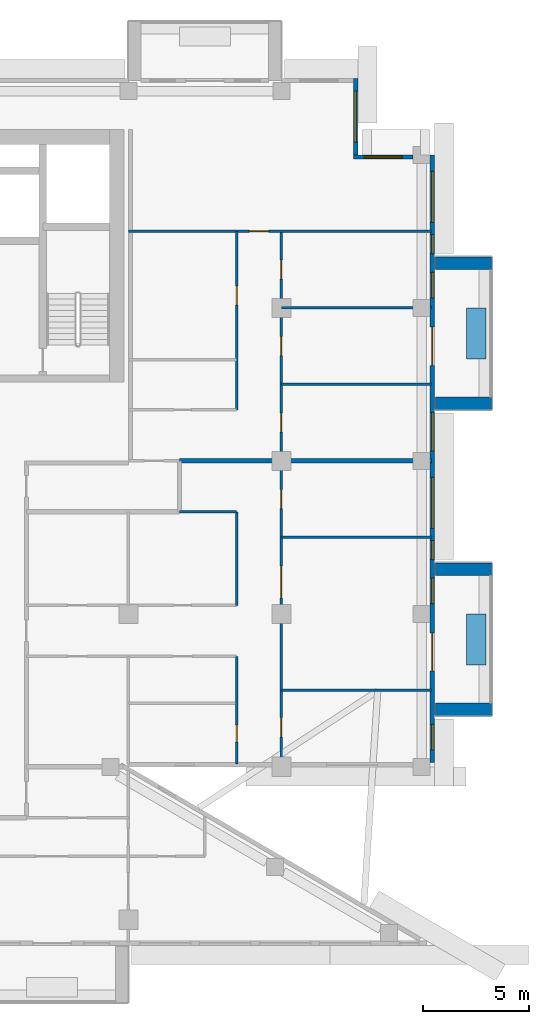
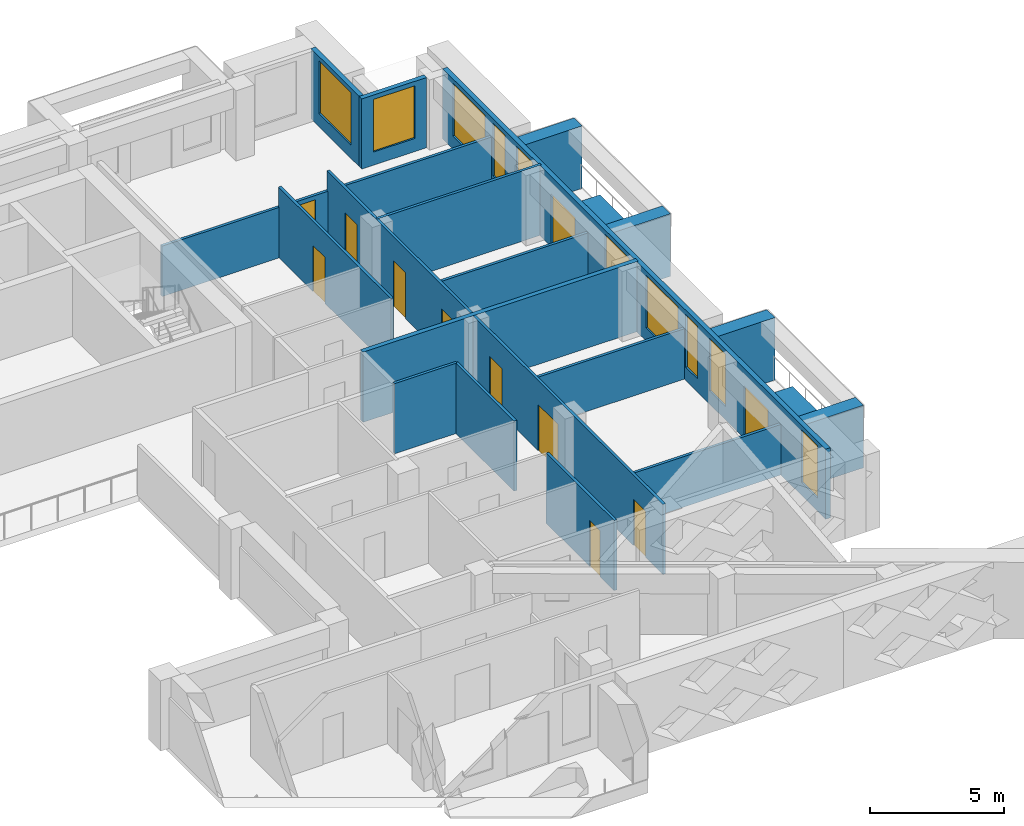
# One storey, part 12 of 20: 20 walls, 11 doors, 10 windows, 21 openings.
"""IFC4 building model written with IfcOpenShell, lengths in metres."""

from ifc_helpers import new_model, si_unit, direction, frame, frame_2d, origin, place, context, subcontext, project, spatial, rectangle, extrude, material, layer, layer_set, type_object, element, fill, save


model = new_model("IFC4")

# Units and contexts
model_context = context("Model", 3, precision=1e-05, world=origin(), true_north=direction((0.0, 1.0)))
body_context = subcontext(model_context, "Body", "Model", "MODEL_VIEW")
ifc_project = project(units=[si_unit("LENGTHUNIT", "METRE"), si_unit("AREAUNIT", "SQUARE_METRE"), si_unit("VOLUMEUNIT", "CUBIC_METRE"), si_unit("PLANEANGLEUNIT", "RADIAN"), si_unit("MASSUNIT", "GRAM", prefix="KILO")], contexts=[model_context])

# Site, building, storey
site_placement = place(None, origin())
site = spatial("IfcSite", under=ifc_project, at=site_placement, CompositionType="ELEMENT")
building_placement = place(site_placement, origin())
building = spatial("IfcBuilding", under=site, at=building_placement, Name="Saffron Iwan Residences", CompositionType="ELEMENT")
storey_placement = place(building_placement, frame((0.0, 0.0, 188.5)))
storey = spatial("IfcBuildingStorey", under=building, at=storey_placement, Name="L50", CompositionType="ELEMENT", Elevation=188.5)

# Walls
ifc_material_1 = material(Name="Concrete C50/60 white painted", Category="concrete")
ifc_layer_1 = layer(ifc_material_1, 0.60009765625)
ifc_layer_set_1 = layer_set([ifc_layer_1], Name="Concrete C50/60 white painted")
wall_type_1 = type_object("IfcWallType", Name="BALCONY FIN 600", PredefinedType="SOLIDWALL", material=ifc_layer_set_1)
for number, where, z_axis, x_axis, name in (
    (1, (86.449951171875, 50.699951171875, 0.0), (0.0, 0.0, 1.0), (1.0, 0.0, 0.0), "Balcony fin L50 F2-0a"),
    (2, (86.449951171875, 57.300048828125, 0.0), (0.0, 0.0, 1.0), (1.0, 0.0, 0.0), "Balcony fin L50 F2-0b"),
    (3, (86.449951171875, 65.10009765625, 0.0), (0.0, 0.0, 1.0), (1.0, 0.0, 0.0), "Balcony fin L50 F2-1a"),
    (4, (86.449951171875, 71.699951171875, 0.0), (0.0, 0.0, 1.0), (1.0, 0.0, 0.0), "Balcony fin L50 F2-1b"),
):
    element("IfcWall", number, at=place(storey_placement, frame(where, z_axis=z_axis, x_axis=x_axis)), inside=storey, type_object=wall_type_1, Name=name, PredefinedType="SOLIDWALL", context=body_context, shape_type="SweptSolid", body=[
        extrude(rectangle(XDim=2.650146484375, YDim=0.60009765625, at=frame_2d((1.3251953125, 0.0))), origin(), (0.0, 0.0, 1.0), 2.85009765625),
    ])
ifc_material_2 = material(Name="Concrete C35/45 white painted", Category="concrete")
ifc_layer_2 = layer(ifc_material_2, 0.14990234375)
ifc_layer_set_2 = layer_set([ifc_layer_2], Name="Concrete C35/45 white painted")
wall_type_2 = type_object("IfcWallType", Name="BALCONY PLANTER", PredefinedType="SOLIDWALL", material=ifc_layer_set_2)
wall_1_placement = place(storey_placement, frame((88.375, 52.800048828125, 0.0), z_axis=(0.0, 0.0, 1.0), x_axis=(0.0, 1.0, 0.0)))
element("IfcWall", 5, at=wall_1_placement, inside=storey, type_object=wall_type_2, Name="PLANTER L50 F2-0", PredefinedType="SOLIDWALL", context=body_context, shape_type="SweptSolid", body=[
    extrude(rectangle(XDim=2.39990234375, YDim=0.89990234375, at=frame_2d((1.199951171875, 0.0))), origin(), (0.0, 0.0, 1.0), 0.89990234375),
])
wall_2_placement = place(storey_placement, frame((88.375, 67.199951171875, 0.0), z_axis=(0.0, 0.0, 1.0), x_axis=(0.0, 1.0, 0.0)))
element("IfcWall", 6, at=wall_2_placement, inside=storey, type_object=wall_type_2, Name="PLANTER L50 F2-1", PredefinedType="SOLIDWALL", context=body_context, shape_type="SweptSolid", body=[
    extrude(rectangle(XDim=2.400146484375, YDim=0.89990234375, at=frame_2d((1.2001953125, 0.0))), origin(), (0.0, 0.0, 1.0), 0.89990234375),
])

# Wall, openings, doors, windows
ifc_material_3 = material(Name="Concrete C40/50", Category="concrete")
ifc_layer_3 = layer(ifc_material_3, 0.199951171875)
ifc_layer_set_3 = layer_set([ifc_layer_3], Name="Concrete C40/50")
wall_type_3 = type_object("IfcWallType", Name="EXTERNAL WALL 200", PredefinedType="SOLIDWALL", material=ifc_layer_set_3)
wall_3_placement = place(storey_placement, frame((86.300048828125, 48.199951171875, 0.0), z_axis=(0.0, 0.0, 1.0), x_axis=(0.0, 1.0, 0.0)))
wall_3 = element("IfcWall", 7, at=wall_3_placement, inside=storey, type_object=wall_type_3, Name="External wall L50 F2.0", PredefinedType="SOLIDWALL", context=body_context, shape_type="SweptSolid", body=[
    extrude(rectangle(XDim=28.60009765625, YDim=0.199951171875, at=frame_2d((14.300048828125, 0.0))), origin(), (0.0, 0.0, 1.0), 3.199951171875),
])
opening_1_placement = place(wall_3_placement, frame((4.300048828125, 0.0, 0.0)))
opening_1 = element("IfcOpeningElement", 8, at=opening_1_placement, cuts=wall_3, Name="Opening BD1", PredefinedType="OPENING", context=body_context, shape_type="SweptSolid", body=[
    extrude(rectangle(XDim=1.800048828125, YDim=2.39990234375, at=frame_2d((0.89990234375, 1.199951171875))), frame((0.0, 0.10986328125, 0.0), z_axis=(0.0, -1.0, 0.0), x_axis=(1.0, 0.0, 0.0)), (0.0, 0.0, 1.0), 0.219970703125),
])
opening_2_placement = place(wall_3_placement, frame((18.699951171875, 0.0, 0.0)))
opening_2 = element("IfcOpeningElement", 9, at=opening_2_placement, cuts=wall_3, Name="Opening BD1", PredefinedType="OPENING", context=body_context, shape_type="SweptSolid", body=[
    extrude(rectangle(XDim=1.800048828125, YDim=2.39990234375, at=frame_2d((0.89990234375, 1.199951171875))), frame((0.0, 0.10986328125, 0.0), z_axis=(0.0, -1.0, 0.0), x_axis=(1.0, 0.0, 0.0)), (0.0, 0.0, 1.0), 0.219970703125),
])
opening_3_placement = place(wall_3_placement, frame((0.60009765625, 0.0, 0.60009765625)))
opening_3 = element("IfcOpeningElement", 10, at=opening_3_placement, cuts=wall_3, Name="Opening W3", PredefinedType="OPENING", context=body_context, shape_type="SweptSolid", body=[
    extrude(rectangle(XDim=1.199951171875, YDim=2.39990234375, at=frame_2d((0.60009765625, 1.199951171875))), frame((0.0, 0.10986328125, 0.0), z_axis=(0.0, -1.0, 0.0), x_axis=(1.0, 0.0, 0.0)), (0.0, 0.0, 1.0), 0.219970703125),
])
opening_4_placement = place(wall_3_placement, frame((7.47509765625, 0.0, 0.60009765625)))
opening_4 = element("IfcOpeningElement", 11, at=opening_4_placement, cuts=wall_3, Name="Opening W3", PredefinedType="OPENING", context=body_context, shape_type="SweptSolid", body=[
    extrude(rectangle(XDim=1.199951171875, YDim=2.39990234375, at=frame_2d((0.60009765625, 1.199951171875))), frame((0.0, 0.10986328125, 0.0), z_axis=(0.0, -1.0, 0.0), x_axis=(1.0, 0.0, 0.0)), (0.0, 0.0, 1.0), 0.219970703125),
])
opening_5_placement = place(wall_3_placement, frame((9.550048828125, 0.0, 0.60009765625)))
opening_5 = element("IfcOpeningElement", 12, at=opening_5_placement, cuts=wall_3, Name="Opening W10", PredefinedType="OPENING", context=body_context, shape_type="SweptSolid", body=[
    extrude(rectangle(XDim=0.89990234375, YDim=2.39990234375, at=frame_2d((0.449951171875, 1.199951171875))), frame((0.0, 0.10986328125, 0.0), z_axis=(0.0, -1.0, 0.0), x_axis=(1.0, 0.0, 0.0)), (0.0, 0.0, 1.0), 0.219970703125),
])
opening_6_placement = place(wall_3_placement, frame((11.02490234375, 0.0, 0.60009765625)))
opening_6 = element("IfcOpeningElement", 13, at=opening_6_placement, cuts=wall_3, Name="Opening W1", PredefinedType="OPENING", context=body_context, shape_type="SweptSolid", body=[
    extrude(rectangle(XDim=2.39990234375, YDim=2.39990234375, at=frame_2d((1.199951171875, 1.199951171875))), frame((0.0, 0.10986328125, 0.0), z_axis=(0.0, -1.0, 0.0), x_axis=(1.0, 0.0, 0.0)), (0.0, 0.0, 1.0), 0.219970703125),
])
opening_7_placement = place(wall_3_placement, frame((14.675048828125, 0.0, 0.60009765625)))
opening_7 = element("IfcOpeningElement", 14, at=opening_7_placement, cuts=wall_3, Name="Opening W8", PredefinedType="OPENING", context=body_context, shape_type="SweptSolid", body=[
    extrude(rectangle(XDim=1.800048828125, YDim=2.39990234375, at=frame_2d((0.89990234375, 1.199951171875))), frame((0.0, 0.10986328125, 0.0), z_axis=(0.0, -1.0, 0.0), x_axis=(1.0, 0.0, 0.0)), (0.0, 0.0, 1.0), 0.219970703125),
])
opening_8_placement = place(wall_3_placement, frame((21.875, 0.0, 0.60009765625)))
opening_8 = element("IfcOpeningElement", 15, at=opening_8_placement, cuts=wall_3, Name="Opening W3", PredefinedType="OPENING", context=body_context, shape_type="SweptSolid", body=[
    extrude(rectangle(XDim=1.199951171875, YDim=2.39990234375, at=frame_2d((0.60009765625, 1.199951171875))), frame((0.0, 0.10986328125, 0.0), z_axis=(0.0, -1.0, 0.0), x_axis=(1.0, 0.0, 0.0)), (0.0, 0.0, 1.0), 0.219970703125),
])
opening_9_placement = place(wall_3_placement, frame((23.949951171875, 0.0, 0.60009765625)))
opening_9 = element("IfcOpeningElement", 16, at=opening_9_placement, cuts=wall_3, Name="Opening W10", PredefinedType="OPENING", context=body_context, shape_type="SweptSolid", body=[
    extrude(rectangle(XDim=0.89990234375, YDim=2.39990234375, at=frame_2d((0.449951171875, 1.199951171875))), frame((0.0, 0.10986328125, 0.0), z_axis=(0.0, -1.0, 0.0), x_axis=(1.0, 0.0, 0.0)), (0.0, 0.0, 1.0), 0.219970703125),
])
opening_10_placement = place(wall_3_placement, frame((25.425048828125, 0.0, 0.60009765625)))
opening_10 = element("IfcOpeningElement", 17, at=opening_10_placement, cuts=wall_3, Name="Opening W1", PredefinedType="OPENING", context=body_context, shape_type="SweptSolid", body=[
    extrude(rectangle(XDim=2.39990234375, YDim=2.39990234375, at=frame_2d((1.199951171875, 1.199951171875))), frame((0.0, 0.10986328125, 0.0), z_axis=(0.0, -1.0, 0.0), x_axis=(1.0, 0.0, 0.0)), (0.0, 0.0, 1.0), 0.219970703125),
])
ifc_material_4 = material(Name="Clear glass, laminated double glazed", Category="glass")
door_type_1 = type_object("IfcDoorType", Name="BALCONY DOOR 1800 x 2400", OperationType="DOUBLE_DOOR_SLIDING", PredefinedType="DOOR", material=ifc_material_4)
door_1_placement = place(opening_1_placement, origin())
door_1 = element("IfcDoor", 18, at=door_1_placement, inside=storey, type_object=door_type_1, Name="Balcony door L50 F2.0", OperationType="DOUBLE_DOOR_SLIDING", OverallHeight=2.39990234375, OverallWidth=1.800048828125, PredefinedType="DOOR", context=body_context, shape_type="SweptSolid", body=[
    extrude(rectangle(XDim=1.800048828125, YDim=2.39990234375, at=frame_2d((0.89990234375, 1.199951171875))), frame((0.0, 0.02490234375, 0.0), z_axis=(0.0, -1.0, 0.0), x_axis=(1.0, 0.0, 0.0)), (0.0, 0.0, 1.0), 0.050048828125),
])
fill(opening_1, door_1)
door_2_placement = place(opening_2_placement, origin())
door_2 = element("IfcDoor", 19, at=door_2_placement, inside=storey, type_object=door_type_1, Name="Balcony door L50 F2.1", OperationType="DOUBLE_DOOR_SLIDING", OverallHeight=2.39990234375, OverallWidth=1.800048828125, PredefinedType="DOOR", context=body_context, shape_type="SweptSolid", body=[
    extrude(rectangle(XDim=1.800048828125, YDim=2.39990234375, at=frame_2d((0.89990234375, 1.199951171875))), frame((0.0, 0.02490234375, 0.0), z_axis=(0.0, -1.0, 0.0), x_axis=(1.0, 0.0, 0.0)), (0.0, 0.0, 1.0), 0.050048828125),
])
fill(opening_2, door_2)
window_type_1 = type_object("IfcWindowType", Name="WINDOW 1200 x 2400", PartitioningType="SINGLE_PANEL", PredefinedType="WINDOW", material=ifc_material_4)
window_1_placement = place(opening_3_placement, origin())
window_1 = element("IfcWindow", 20, at=window_1_placement, inside=storey, type_object=window_type_1, Name="Window L50 F2.2", OverallHeight=2.39990234375, OverallWidth=1.199951171875, PartitioningType="SINGLE_PANEL", PredefinedType="WINDOW", context=body_context, shape_type="SweptSolid", body=[
    extrude(rectangle(XDim=1.199951171875, YDim=2.39990234375, at=frame_2d((0.60009765625, 1.199951171875))), frame((0.0, 0.030029296875, 0.0), z_axis=(0.0, -1.0, 0.0), x_axis=(1.0, 0.0, 0.0)), (0.0, 0.0, 1.0), 0.06005859375),
])
fill(opening_3, window_1)
window_2_placement = place(opening_4_placement, origin())
window_2 = element("IfcWindow", 21, at=window_2_placement, inside=storey, type_object=window_type_1, Name="Window L50 F2.3", OverallHeight=2.39990234375, OverallWidth=1.199951171875, PartitioningType="SINGLE_PANEL", PredefinedType="WINDOW", context=body_context, shape_type="SweptSolid", body=[
    extrude(rectangle(XDim=1.199951171875, YDim=2.39990234375, at=frame_2d((0.60009765625, 1.199951171875))), frame((0.0, 0.030029296875, 0.0), z_axis=(0.0, -1.0, 0.0), x_axis=(1.0, 0.0, 0.0)), (0.0, 0.0, 1.0), 0.06005859375),
])
fill(opening_4, window_2)
window_3_placement = place(opening_8_placement, origin())
window_3 = element("IfcWindow", 22, at=window_3_placement, inside=storey, type_object=window_type_1, Name="Window L50 F2.7", OverallHeight=2.39990234375, OverallWidth=1.199951171875, PartitioningType="SINGLE_PANEL", PredefinedType="WINDOW", context=body_context, shape_type="SweptSolid", body=[
    extrude(rectangle(XDim=1.199951171875, YDim=2.39990234375, at=frame_2d((0.60009765625, 1.199951171875))), frame((0.0, 0.030029296875, 0.0), z_axis=(0.0, -1.0, 0.0), x_axis=(1.0, 0.0, 0.0)), (0.0, 0.0, 1.0), 0.06005859375),
])
fill(opening_8, window_3)
window_type_2 = type_object("IfcWindowType", Name="WINDOW 1800 x 2400", PartitioningType="DOUBLE_PANEL_VERTICAL", PredefinedType="WINDOW", material=ifc_material_4)
window_4_placement = place(opening_7_placement, origin())
window_4 = element("IfcWindow", 23, at=window_4_placement, inside=storey, type_object=window_type_2, Name="Window L50 F2.6", OverallHeight=2.39990234375, OverallWidth=1.800048828125, PartitioningType="DOUBLE_PANEL_VERTICAL", PredefinedType="WINDOW", context=body_context, shape_type="SweptSolid", body=[
    extrude(rectangle(XDim=1.800048828125, YDim=2.39990234375, at=frame_2d((0.89990234375, 1.199951171875))), frame((0.0, 0.030029296875, 0.0), z_axis=(0.0, -1.0, 0.0), x_axis=(1.0, 0.0, 0.0)), (0.0, 0.0, 1.0), 0.06005859375),
])
fill(opening_7, window_4)
window_type_3 = type_object("IfcWindowType", Name="WINDOW 2400 x 2400", PartitioningType="DOUBLE_PANEL_VERTICAL", PredefinedType="WINDOW", material=ifc_material_4)
window_5_placement = place(opening_6_placement, origin())
window_5 = element("IfcWindow", 24, at=window_5_placement, inside=storey, type_object=window_type_3, Name="Window L50 F2.5", OverallHeight=2.39990234375, OverallWidth=2.39990234375, PartitioningType="DOUBLE_PANEL_VERTICAL", PredefinedType="WINDOW", context=body_context, shape_type="SweptSolid", body=[
    extrude(rectangle(XDim=2.39990234375, YDim=2.39990234375, at=frame_2d((1.199951171875, 1.199951171875))), frame((0.0, 0.030029296875, 0.0), z_axis=(0.0, -1.0, 0.0), x_axis=(1.0, 0.0, 0.0)), (0.0, 0.0, 1.0), 0.06005859375),
])
fill(opening_6, window_5)
window_6_placement = place(opening_10_placement, origin())
window_6 = element("IfcWindow", 25, at=window_6_placement, inside=storey, type_object=window_type_3, Name="Window L50 F2.9", OverallHeight=2.39990234375, OverallWidth=2.39990234375, PartitioningType="DOUBLE_PANEL_VERTICAL", PredefinedType="WINDOW", context=body_context, shape_type="SweptSolid", body=[
    extrude(rectangle(XDim=2.39990234375, YDim=2.39990234375, at=frame_2d((1.199951171875, 1.199951171875))), frame((0.0, 0.030029296875, 0.0), z_axis=(0.0, -1.0, 0.0), x_axis=(1.0, 0.0, 0.0)), (0.0, 0.0, 1.0), 0.06005859375),
])
fill(opening_10, window_6)
window_type_4 = type_object("IfcWindowType", Name="WINDOW 900 x 2400", PartitioningType="SINGLE_PANEL", PredefinedType="WINDOW", material=ifc_material_4)
window_7_placement = place(opening_5_placement, origin())
window_7 = element("IfcWindow", 26, at=window_7_placement, inside=storey, type_object=window_type_4, Name="Window L50 F2.4", OverallHeight=2.39990234375, OverallWidth=0.89990234375, PartitioningType="SINGLE_PANEL", PredefinedType="WINDOW", context=body_context, shape_type="SweptSolid", body=[
    extrude(rectangle(XDim=0.89990234375, YDim=2.39990234375, at=frame_2d((0.449951171875, 1.199951171875))), frame((0.0, 0.030029296875, 0.0), z_axis=(0.0, -1.0, 0.0), x_axis=(1.0, 0.0, 0.0)), (0.0, 0.0, 1.0), 0.06005859375),
])
fill(opening_5, window_7)
window_8_placement = place(opening_9_placement, origin())
window_8 = element("IfcWindow", 27, at=window_8_placement, inside=storey, type_object=window_type_4, Name="Window L50 F2.8", OverallHeight=2.39990234375, OverallWidth=0.89990234375, PartitioningType="SINGLE_PANEL", PredefinedType="WINDOW", context=body_context, shape_type="SweptSolid", body=[
    extrude(rectangle(XDim=0.89990234375, YDim=2.39990234375, at=frame_2d((0.449951171875, 1.199951171875))), frame((0.0, 0.030029296875, 0.0), z_axis=(0.0, -1.0, 0.0), x_axis=(1.0, 0.0, 0.0)), (0.0, 0.0, 1.0), 0.06005859375),
])
fill(opening_9, window_8)

# Wall, opening, window
wall_4_placement = place(storey_placement, frame((85.39990234375, 76.699951171875, 0.0), z_axis=(0.0, 0.0, 1.0), x_axis=(-1.0, 0.0, 0.0)))
wall_4 = element("IfcWall", 28, at=wall_4_placement, inside=storey, type_object=wall_type_3, Name="External wall L50 F3.0", PredefinedType="SOLIDWALL", context=body_context, shape_type="SweptSolid", body=[
    extrude(rectangle(XDim=2.7998046875, YDim=0.199951171875, at=frame_2d((1.39990234375, 0.0))), origin(), (0.0, 0.0, 1.0), 3.199951171875),
])
opening_11_placement = place(wall_4_placement, frame((0.5, 0.0, 0.60009765625)))
opening_11 = element("IfcOpeningElement", 29, at=opening_11_placement, cuts=wall_4, Name="Opening W8", PredefinedType="OPENING", context=body_context, shape_type="SweptSolid", body=[
    extrude(rectangle(XDim=1.800048828125, YDim=2.39990234375, at=frame_2d((0.89990234375, 1.199951171875))), frame((0.0, 0.10986328125, 0.0), z_axis=(0.0, -1.0, 0.0), x_axis=(1.0, 0.0, 0.0)), (0.0, 0.0, 1.0), 0.219970703125),
])
window_9_placement = place(opening_11_placement, origin())
window_9 = element("IfcWindow", 30, at=window_9_placement, inside=storey, type_object=window_type_2, Name="Window L50 F3.0", OverallHeight=2.39990234375, OverallWidth=1.800048828125, PartitioningType="DOUBLE_PANEL_VERTICAL", PredefinedType="WINDOW", context=body_context, shape_type="SweptSolid", body=[
    extrude(rectangle(XDim=1.800048828125, YDim=2.39990234375, at=frame_2d((0.89990234375, 1.199951171875))), frame((0.0, 0.030029296875, 0.0), z_axis=(0.0, -1.0, 0.0), x_axis=(1.0, 0.0, 0.0)), (0.0, 0.0, 1.0), 0.06005859375),
])
fill(opening_11, window_9)

wall_5_placement = place(storey_placement, frame((82.699951171875, 76.800048828125, 0.0), z_axis=(0.0, 0.0, 1.0), x_axis=(0.0, 1.0, 0.0)))
wall_5 = element("IfcWall", 31, at=wall_5_placement, inside=storey, type_object=wall_type_3, Name="External wall L50 F4.0", PredefinedType="SOLIDWALL", context=body_context, shape_type="SweptSolid", body=[
    extrude(rectangle(XDim=3.599853515625, YDim=0.199951171875, at=frame_2d((1.7998046875, 0.0))), origin(), (0.0, 0.0, 1.0), 3.199951171875),
])
opening_12_placement = place(wall_5_placement, frame((0.60009765625, 0.0, 0.60009765625)))
opening_12 = element("IfcOpeningElement", 32, at=opening_12_placement, cuts=wall_5, Name="Opening W1", PredefinedType="OPENING", context=body_context, shape_type="SweptSolid", body=[
    extrude(rectangle(XDim=2.39990234375, YDim=2.39990234375, at=frame_2d((1.199951171875, 1.199951171875))), frame((0.0, 0.10986328125, 0.0), z_axis=(0.0, -1.0, 0.0), x_axis=(1.0, 0.0, 0.0)), (0.0, 0.0, 1.0), 0.219970703125),
])
window_10_placement = place(opening_12_placement, origin())
window_10 = element("IfcWindow", 33, at=window_10_placement, inside=storey, type_object=window_type_3, Name="Window L50 F4.0", OverallHeight=2.39990234375, OverallWidth=2.39990234375, PartitioningType="DOUBLE_PANEL_VERTICAL", PredefinedType="WINDOW", context=body_context, shape_type="SweptSolid", body=[
    extrude(rectangle(XDim=2.39990234375, YDim=2.39990234375, at=frame_2d((1.199951171875, 1.199951171875))), frame((0.0, 0.030029296875, 0.0), z_axis=(0.0, -1.0, 0.0), x_axis=(1.0, 0.0, 0.0)), (0.0, 0.0, 1.0), 0.06005859375),
])
fill(opening_12, window_10)

# Walls
ifc_material_5 = material(Name="Fire-rated gypsum board wall")
ifc_layer_4 = layer(ifc_material_5, 0.199951171875)
ifc_layer_set_4 = layer_set([ifc_layer_4], Name="Fire-rated gypsum board wall")
wall_type_4 = type_object("IfcWallType", Name="Flat demising wall 200", PredefinedType="SOLIDWALL", material=ifc_layer_set_4)
wall_6_placement = place(storey_placement, frame((74.39990234375, 62.39990234375, 0.0), z_axis=(0.0, 0.0, 1.0), x_axis=(1.0, 0.0, 0.0)))
element("IfcWall", 34, at=wall_6_placement, inside=storey, type_object=wall_type_4, Name="W-L50-DEMISE-h62.4-74.4", PredefinedType="SOLIDWALL", context=body_context, shape_type="SweptSolid", body=[
    extrude(rectangle(XDim=11.875, YDim=0.199951171875, at=frame_2d((5.9375, 0.0))), origin(), (0.0, 0.0, 1.0), 3.199951171875),
])
ifc_material_6 = material(Name="Gypsum board partition")
ifc_layer_5 = layer(ifc_material_6, 0.1201171875)
ifc_layer_set_5 = layer_set([ifc_layer_5], Name="Gypsum board partition")
wall_type_5 = type_object("IfcWallType", Name="Flat partition 120", PredefinedType="PARTITIONING", material=ifc_layer_set_5)
for number, where, z_axis, x_axis, name in (
    (35, (79.199951171875, 51.60009765625, 0.0), (0.0, 0.0, 1.0), (1.0, 0.0, 0.0), "W-L50-PART-h51.6-79.2"),
    (36, (79.199951171875, 58.800048828125, 0.0), (0.0, 0.0, 1.0), (1.0, 0.0, 0.0), "W-L50-PART-h58.8-79.2"),
):
    element("IfcWall", number, at=place(storey_placement, frame(where, z_axis=z_axis, x_axis=x_axis)), inside=storey, type_object=wall_type_5, Name=name, PredefinedType="PARTITIONING", context=body_context, shape_type="SweptSolid", body=[
        extrude(rectangle(XDim=7.074951171875, YDim=0.1201171875, at=frame_2d((3.53759765625, 0.0))), origin(), (0.0, 0.0, 1.0), 2.300048828125),
    ])
wall_7_placement = place(storey_placement, frame((74.39990234375, 60.0, 0.0), z_axis=(0.0, 0.0, 1.0), x_axis=(1.0, 0.0, 0.0)))
element("IfcWall", 37, at=wall_7_placement, inside=storey, type_object=wall_type_5, Name="W-L50-PART-h60-74.4", PredefinedType="PARTITIONING", context=body_context, shape_type="SweptSolid", body=[
    extrude(rectangle(XDim=2.7001953125, YDim=0.1201171875, at=frame_2d((1.35009765625, 0.0))), origin(), (0.0, 0.0, 1.0), 3.199951171875),
])
wall_8_placement = place(storey_placement, frame((79.199951171875, 66.0, 0.0), z_axis=(0.0, 0.0, 1.0), x_axis=(1.0, 0.0, 0.0)))
element("IfcWall", 38, at=wall_8_placement, inside=storey, type_object=wall_type_5, Name="W-L50-PART-h66-79.2", PredefinedType="PARTITIONING", context=body_context, shape_type="SweptSolid", body=[
    extrude(rectangle(XDim=7.074951171875, YDim=0.1201171875, at=frame_2d((3.53759765625, 0.0))), origin(), (0.0, 0.0, 1.0), 2.300048828125),
])
wall_9_placement = place(storey_placement, frame((79.199951171875, 69.60009765625, 0.0), z_axis=(0.0, 0.0, 1.0), x_axis=(1.0, 0.0, 0.0)))
element("IfcWall", 39, at=wall_9_placement, inside=storey, type_object=wall_type_5, Name="W-L50-PART-h69.6-79.2", PredefinedType="PARTITIONING", context=body_context, shape_type="SweptSolid", body=[
    extrude(rectangle(XDim=7.074951171875, YDim=0.1201171875, at=frame_2d((3.53759765625, 0.0))), origin(), (0.0, 0.0, 1.0), 3.199951171875),
])

# Wall, opening, door
wall_10_placement = place(storey_placement, frame((72.0, 73.199951171875, 0.0), z_axis=(0.0, 0.0, 1.0), x_axis=(1.0, 0.0, 0.0)))
wall_10 = element("IfcWall", 40, at=wall_10_placement, inside=storey, type_object=wall_type_5, Name="W-L50-PART-h73.2-72", PredefinedType="PARTITIONING", context=body_context, shape_type="SweptSolid", body=[
    extrude(rectangle(XDim=14.27490234375, YDim=0.1201171875, at=frame_2d((7.137451171875, 0.0))), origin(), (0.0, 0.0, 1.0), 2.300048828125),
])
opening_13_placement = place(wall_10_placement, frame((5.699951171875, 0.0, 0.0)))
opening_13 = element("IfcOpeningElement", 41, at=opening_13_placement, cuts=wall_10, Name="Opening FD2", PredefinedType="OPENING", context=body_context, shape_type="SweptSolid", body=[
    extrude(rectangle(XDim=0.89990234375, YDim=2.10009765625, at=frame_2d((0.449951171875, 1.050048828125))), frame((0.0, 0.070068359375, 0.0), z_axis=(0.0, -1.0, 0.0), x_axis=(1.0, 0.0, 0.0)), (0.0, 0.0, 1.0), 0.14013671875),
])
ifc_material_7 = material(Name="Timber door", Category="wood")
door_type_2 = type_object("IfcDoorType", Name="Flat door 900", OperationType="NOTDEFINED", PredefinedType="DOOR", material=ifc_material_7)
door_3_placement = place(opening_13_placement, origin())
door_3 = element("IfcDoor", 42, at=door_3_placement, inside=storey, type_object=door_type_2, Name="Door L50-039", OperationType="SINGLE_SWING_LEFT", OverallHeight=2.10009765625, OverallWidth=0.89990234375, PredefinedType="DOOR", context=body_context, shape_type="SweptSolid", body=[
    extrude(rectangle(XDim=0.89990234375, YDim=2.10009765625, at=frame_2d((0.449951171875, 1.050048828125))), frame((0.0, 0.02490234375, 0.0), z_axis=(0.0, -1.0, 0.0), x_axis=(1.0, 0.0, 0.0)), (0.0, 0.0, 1.0), 0.050048828125),
])
fill(opening_13, door_3)

wall_11_placement = place(storey_placement, frame((77.10009765625, 48.125, 0.0), z_axis=(0.0, 0.0, 1.0), x_axis=(0.0, 1.0, 0.0)))
wall_11 = element("IfcWall", 43, at=wall_11_placement, inside=storey, type_object=wall_type_5, Name="W-L50-PART-v77.1-48.125", PredefinedType="PARTITIONING", context=body_context, shape_type="SweptSolid", body=[
    extrude(rectangle(XDim=5.074951171875, YDim=0.1201171875, at=frame_2d((2.53759765625, 0.0))), origin(), (0.0, 0.0, 1.0), 3.199951171875),
])
opening_14_placement = place(wall_11_placement, frame((1.03759765625, 0.0, 0.0)))
opening_14 = element("IfcOpeningElement", 44, at=opening_14_placement, cuts=wall_11, Name="Opening FD3", PredefinedType="OPENING", context=body_context, shape_type="SweptSolid", body=[
    extrude(rectangle(XDim=0.800048828125, YDim=2.10009765625, at=frame_2d((0.39990234375, 1.050048828125))), frame((0.0, 0.070068359375, 0.0), z_axis=(0.0, -1.0, 0.0), x_axis=(1.0, 0.0, 0.0)), (0.0, 0.0, 1.0), 0.14013671875),
])
door_type_3 = type_object("IfcDoorType", Name="Bathroom door 800", OperationType="NOTDEFINED", PredefinedType="DOOR", material=ifc_material_7)
door_4_placement = place(opening_14_placement, origin())
door_4 = element("IfcDoor", 45, at=door_4_placement, inside=storey, type_object=door_type_3, Name="Door L50-019", OperationType="SINGLE_SWING_LEFT", OverallHeight=2.10009765625, OverallWidth=0.800048828125, PredefinedType="DOOR", context=body_context, shape_type="SweptSolid", body=[
    extrude(rectangle(XDim=0.800048828125, YDim=2.10009765625, at=frame_2d((0.39990234375, 1.050048828125))), frame((0.0, 0.02490234375, 0.0), z_axis=(0.0, -1.0, 0.0), x_axis=(1.0, 0.0, 0.0)), (0.0, 0.0, 1.0), 0.050048828125),
])
fill(opening_14, door_4)

# Wall
wall_12_placement = place(storey_placement, frame((77.10009765625, 55.60009765625, 0.0), z_axis=(0.0, 0.0, 1.0), x_axis=(0.0, 1.0, 0.0)))
element("IfcWall", 46, at=wall_12_placement, inside=storey, type_object=wall_type_5, Name="W-L50-PART-v77.1-55.6", PredefinedType="PARTITIONING", context=body_context, shape_type="SweptSolid", body=[
    extrude(rectangle(XDim=4.39990234375, YDim=0.1201171875, at=frame_2d((2.199951171875, 0.0))), origin(), (0.0, 0.0, 1.0), 3.199951171875),
])

# Wall, opening, door
wall_13_placement = place(storey_placement, frame((77.10009765625, 64.800048828125, 0.0), z_axis=(0.0, 0.0, 1.0), x_axis=(0.0, 1.0, 0.0)))
wall_13 = element("IfcWall", 47, at=wall_13_placement, inside=storey, type_object=wall_type_5, Name="W-L50-PART-v77.1-64.8", PredefinedType="PARTITIONING", context=body_context, shape_type="SweptSolid", body=[
    extrude(rectangle(XDim=8.39990234375, YDim=0.1201171875, at=frame_2d((4.199951171875, 0.0))), origin(), (0.0, 0.0, 1.0), 3.199951171875),
])
opening_15_placement = place(wall_13_placement, frame((4.925048828125, 0.0, 0.0)))
opening_15 = element("IfcOpeningElement", 48, at=opening_15_placement, cuts=wall_13, Name="Opening FD2", PredefinedType="OPENING", context=body_context, shape_type="SweptSolid", body=[
    extrude(rectangle(XDim=0.89990234375, YDim=2.10009765625, at=frame_2d((0.449951171875, 1.050048828125))), frame((0.0, 0.070068359375, 0.0), z_axis=(0.0, -1.0, 0.0), x_axis=(1.0, 0.0, 0.0)), (0.0, 0.0, 1.0), 0.14013671875),
])
door_5_placement = place(opening_15_placement, origin())
door_5 = element("IfcDoor", 49, at=door_5_placement, inside=storey, type_object=door_type_2, Name="Door L50-041", OperationType="SINGLE_SWING_RIGHT", OverallHeight=2.10009765625, OverallWidth=0.89990234375, PredefinedType="DOOR", context=body_context, shape_type="SweptSolid", body=[
    extrude(rectangle(XDim=0.89990234375, YDim=2.10009765625, at=frame_2d((0.449951171875, 1.050048828125))), frame((0.0, 0.02490234375, 0.0), z_axis=(0.0, -1.0, 0.0), x_axis=(1.0, 0.0, 0.0)), (0.0, 0.0, 1.0), 0.050048828125),
])
fill(opening_15, door_5)

# Wall, openings, doors
wall_14_placement = place(storey_placement, frame((79.199951171875, 48.125, 0.0), z_axis=(0.0, 0.0, 1.0), x_axis=(0.0, 1.0, 0.0)))
wall_14 = element("IfcWall", 50, at=wall_14_placement, inside=storey, type_object=wall_type_5, Name="W-L50-PART-v79.2-48.125", PredefinedType="PARTITIONING", context=body_context, shape_type="SweptSolid", body=[
    extrude(rectangle(XDim=25.074951171875, YDim=0.1201171875, at=frame_2d((12.53759765625, 0.0))), origin(), (0.0, 0.0, 1.0), 3.199951171875),
])
opening_16_placement = place(wall_14_placement, frame((1.28759765625, 0.0, 0.0)))
opening_16 = element("IfcOpeningElement", 51, at=opening_16_placement, cuts=wall_14, Name="Opening FD2", PredefinedType="OPENING", context=body_context, shape_type="SweptSolid", body=[
    extrude(rectangle(XDim=0.89990234375, YDim=2.10009765625, at=frame_2d((0.449951171875, 1.050048828125))), frame((0.0, 0.070068359375, 0.0), z_axis=(0.0, -1.0, 0.0), x_axis=(1.0, 0.0, 0.0)), (0.0, 0.0, 1.0), 0.14013671875),
])
opening_17_placement = place(wall_14_placement, frame((7.824951171875, 0.0, 0.0)))
opening_17 = element("IfcOpeningElement", 52, at=opening_17_placement, cuts=wall_14, Name="Opening FD4", PredefinedType="OPENING", context=body_context, shape_type="SweptSolid", body=[
    extrude(rectangle(XDim=1.5, YDim=2.10009765625, at=frame_2d((0.75, 1.050048828125))), frame((0.0, 0.070068359375, 0.0), z_axis=(0.0, -1.0, 0.0), x_axis=(1.0, 0.0, 0.0)), (0.0, 0.0, 1.0), 0.14013671875),
])
opening_18_placement = place(wall_14_placement, frame((12.02490234375, 0.0, 0.0)))
opening_18 = element("IfcOpeningElement", 53, at=opening_18_placement, cuts=wall_14, Name="Opening FD2", PredefinedType="OPENING", context=body_context, shape_type="SweptSolid", body=[
    extrude(rectangle(XDim=0.89990234375, YDim=2.10009765625, at=frame_2d((0.449951171875, 1.050048828125))), frame((0.0, 0.070068359375, 0.0), z_axis=(0.0, -1.0, 0.0), x_axis=(1.0, 0.0, 0.0)), (0.0, 0.0, 1.0), 0.14013671875),
])
opening_19_placement = place(wall_14_placement, frame((15.625, 0.0, 0.0)))
opening_19 = element("IfcOpeningElement", 54, at=opening_19_placement, cuts=wall_14, Name="Opening FD2", PredefinedType="OPENING", context=body_context, shape_type="SweptSolid", body=[
    extrude(rectangle(XDim=0.89990234375, YDim=2.10009765625, at=frame_2d((0.449951171875, 1.050048828125))), frame((0.0, 0.070068359375, 0.0), z_axis=(0.0, -1.0, 0.0), x_axis=(1.0, 0.0, 0.0)), (0.0, 0.0, 1.0), 0.14013671875),
])
opening_20_placement = place(wall_14_placement, frame((19.22509765625, 0.0, 0.0)))
opening_20 = element("IfcOpeningElement", 55, at=opening_20_placement, cuts=wall_14, Name="Opening FD2", PredefinedType="OPENING", context=body_context, shape_type="SweptSolid", body=[
    extrude(rectangle(XDim=0.89990234375, YDim=2.10009765625, at=frame_2d((0.449951171875, 1.050048828125))), frame((0.0, 0.070068359375, 0.0), z_axis=(0.0, -1.0, 0.0), x_axis=(1.0, 0.0, 0.0)), (0.0, 0.0, 1.0), 0.14013671875),
])
opening_21_placement = place(wall_14_placement, frame((22.824951171875, 0.0, 0.0)))
opening_21 = element("IfcOpeningElement", 56, at=opening_21_placement, cuts=wall_14, Name="Opening FD2", PredefinedType="OPENING", context=body_context, shape_type="SweptSolid", body=[
    extrude(rectangle(XDim=0.89990234375, YDim=2.10009765625, at=frame_2d((0.449951171875, 1.050048828125))), frame((0.0, 0.070068359375, 0.0), z_axis=(0.0, -1.0, 0.0), x_axis=(1.0, 0.0, 0.0)), (0.0, 0.0, 1.0), 0.14013671875),
])
door_type_4 = type_object("IfcDoorType", Name="Double door 1500", OperationType="NOTDEFINED", PredefinedType="DOOR", material=ifc_material_7)
door_6_placement = place(opening_17_placement, origin())
door_6 = element("IfcDoor", 57, at=door_6_placement, inside=storey, type_object=door_type_4, Name="Door L50-017", OperationType="SINGLE_SWING_LEFT", OverallHeight=2.10009765625, OverallWidth=1.5, PredefinedType="DOOR", context=body_context, shape_type="SweptSolid", body=[
    extrude(rectangle(XDim=1.5, YDim=2.10009765625, at=frame_2d((0.75, 1.050048828125))), frame((0.0, 0.02490234375, 0.0), z_axis=(0.0, -1.0, 0.0), x_axis=(1.0, 0.0, 0.0)), (0.0, 0.0, 1.0), 0.050048828125),
])
fill(opening_17, door_6)
door_7_placement = place(opening_16_placement, origin())
door_7 = element("IfcDoor", 58, at=door_7_placement, inside=storey, type_object=door_type_2, Name="Door L50-016", OperationType="SINGLE_SWING_LEFT", OverallHeight=2.10009765625, OverallWidth=0.89990234375, PredefinedType="DOOR", context=body_context, shape_type="SweptSolid", body=[
    extrude(rectangle(XDim=0.89990234375, YDim=2.10009765625, at=frame_2d((0.449951171875, 1.050048828125))), frame((0.0, 0.02490234375, 0.0), z_axis=(0.0, -1.0, 0.0), x_axis=(1.0, 0.0, 0.0)), (0.0, 0.0, 1.0), 0.050048828125),
])
fill(opening_16, door_7)
door_8_placement = place(opening_18_placement, origin())
door_8 = element("IfcDoor", 59, at=door_8_placement, inside=storey, type_object=door_type_2, Name="Door L50-018", OperationType="SINGLE_SWING_LEFT", OverallHeight=2.10009765625, OverallWidth=0.89990234375, PredefinedType="DOOR", context=body_context, shape_type="SweptSolid", body=[
    extrude(rectangle(XDim=0.89990234375, YDim=2.10009765625, at=frame_2d((0.449951171875, 1.050048828125))), frame((0.0, 0.02490234375, 0.0), z_axis=(0.0, -1.0, 0.0), x_axis=(1.0, 0.0, 0.0)), (0.0, 0.0, 1.0), 0.050048828125),
])
fill(opening_18, door_8)
door_9_placement = place(opening_19_placement, origin())
door_9 = element("IfcDoor", 60, at=door_9_placement, inside=storey, type_object=door_type_2, Name="Door L50-036", OperationType="SINGLE_SWING_LEFT", OverallHeight=2.10009765625, OverallWidth=0.89990234375, PredefinedType="DOOR", context=body_context, shape_type="SweptSolid", body=[
    extrude(rectangle(XDim=0.89990234375, YDim=2.10009765625, at=frame_2d((0.449951171875, 1.050048828125))), frame((0.0, 0.02490234375, 0.0), z_axis=(0.0, -1.0, 0.0), x_axis=(1.0, 0.0, 0.0)), (0.0, 0.0, 1.0), 0.050048828125),
])
fill(opening_19, door_9)
door_10_placement = place(opening_20_placement, origin())
door_10 = element("IfcDoor", 61, at=door_10_placement, inside=storey, type_object=door_type_2, Name="Door L50-037", OperationType="SINGLE_SWING_LEFT", OverallHeight=2.10009765625, OverallWidth=0.89990234375, PredefinedType="DOOR", context=body_context, shape_type="SweptSolid", body=[
    extrude(rectangle(XDim=0.89990234375, YDim=2.10009765625, at=frame_2d((0.449951171875, 1.050048828125))), frame((0.0, 0.02490234375, 0.0), z_axis=(0.0, -1.0, 0.0), x_axis=(1.0, 0.0, 0.0)), (0.0, 0.0, 1.0), 0.050048828125),
])
fill(opening_20, door_10)
door_11_placement = place(opening_21_placement, origin())
door_11 = element("IfcDoor", 62, at=door_11_placement, inside=storey, type_object=door_type_2, Name="Door L50-038", OperationType="SINGLE_SWING_RIGHT", OverallHeight=2.10009765625, OverallWidth=0.89990234375, PredefinedType="DOOR", context=body_context, shape_type="SweptSolid", body=[
    extrude(rectangle(XDim=0.89990234375, YDim=2.10009765625, at=frame_2d((0.449951171875, 1.050048828125))), frame((0.0, 0.02490234375, 0.0), z_axis=(0.0, -1.0, 0.0), x_axis=(1.0, 0.0, 0.0)), (0.0, 0.0, 1.0), 0.050048828125),
])
fill(opening_21, door_11)

save(model, "model.ifc")
